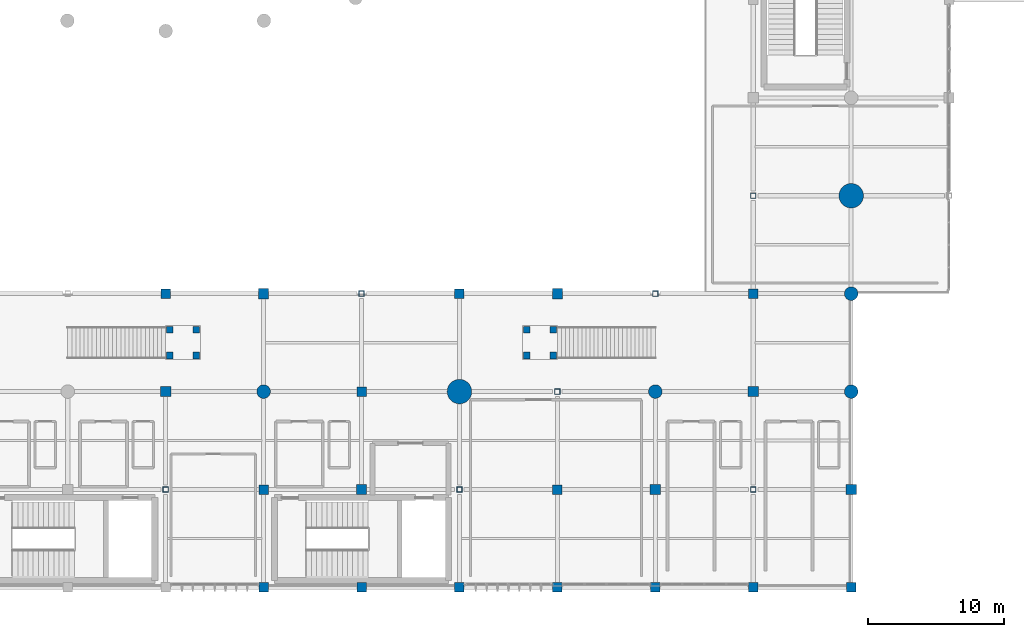
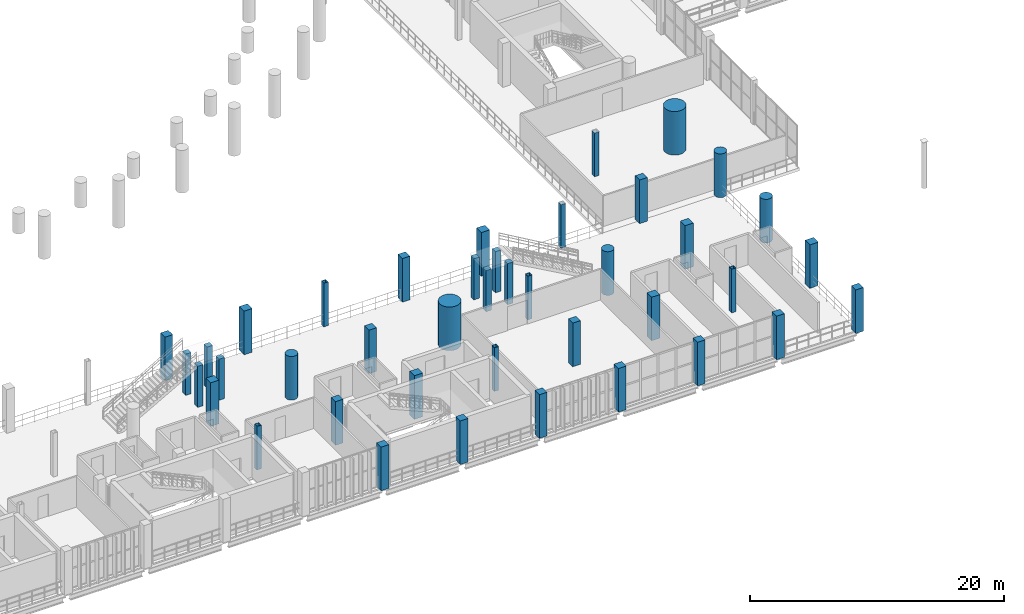
# One storey, part 5 of 130: 41 columns.
"""IFC4 building model written with IfcOpenShell, lengths in metres."""

from ifc_helpers import new_model, si_unit, direction, frame, origin, origin_2d, place, context, subcontext, project, spatial, rectangle, hollow_rectangle, circle, extrude, material, material_profile, profile_set, type_object, element, save


model = new_model("IFC4")

# Units and contexts
model_context = context("Model", 3, precision=1e-05, world=origin(), true_north=direction((0.0, 1.0)))
body_context = subcontext(model_context, "Body", "Model", "MODEL_VIEW")
ifc_project = project(units=[si_unit("LENGTHUNIT", "METRE"), si_unit("AREAUNIT", "SQUARE_METRE"), si_unit("VOLUMEUNIT", "CUBIC_METRE"), si_unit("PLANEANGLEUNIT", "RADIAN"), si_unit("MASSUNIT", "GRAM", prefix="KILO")], contexts=[model_context])

# Site, building, storey
site_placement = place(None, origin())
site = spatial("IfcSite", under=ifc_project, at=site_placement, CompositionType="ELEMENT")
building_placement = place(site_placement, origin())
building = spatial("IfcBuilding", under=site, at=building_placement, Name="Qandorah Velis Arena", CompositionType="ELEMENT")
storey_placement = place(building_placement, frame((0.0, 0.0, 9.60009765625)))
storey = spatial("IfcBuildingStorey", under=building, at=storey_placement, Name="L02", CompositionType="ELEMENT", Elevation=9.60009765625)

# Columns
ifc_material_1 = material(Name="Concrete C50/60", Category="concrete")
ifc_material_profile_1 = material_profile(ifc_material_1, circle(Radius=0.89990234375, at=origin_2d()), Name="MC D1800")
ifc_profile_set_1 = profile_set([ifc_material_profile_1], Name="Concrete C50/60")
column_type_1 = type_object("IfcColumnType", Name="STR-COL-MC1800", PredefinedType="COLUMN", material=ifc_profile_set_1)
for number, where, z_axis, x_axis, name in (
    (1, (86.39990234375, 14.39990234375, 0.0), (0.0, 0.0, 1.0), (1.0, 0.0, 0.0), "Mega column MC5 (L02)"),
    (2, (115.199951171875, 28.800048828125, 0.0), (0.0, 0.0, 1.0), (1.0, 0.0, 0.0), "Mega column MC8 (L02)"),
):
    element("IfcColumn", number, at=place(storey_placement, frame(where, z_axis=z_axis, x_axis=x_axis)), inside=storey, type_object=column_type_1, Name=name, PredefinedType="COLUMN", context=body_context, shape_type="SweptSolid", body=[
        extrude(circle(Radius=0.89990234375, at=origin_2d()), origin(), (0.0, 0.0, 1.0), 4.199951171875),
    ])
ifc_material_2 = material(Name="Concrete C40/50", Category="concrete")
ifc_material_profile_2 = material_profile(ifc_material_2, rectangle(XDim=0.5, YDim=0.5, at=origin_2d()), Name="RC COL 500x500")
ifc_profile_set_2 = profile_set([ifc_material_profile_2], Name="Concrete C40/50")
column_type_2 = type_object("IfcColumnType", Name="STR-COL-RC500", PredefinedType="COLUMN", material=ifc_profile_set_2)
for number, where, z_axis, x_axis, name in (
    (3, (65.10009765625, 17.050048828125, 0.0), (0.0, 0.0, 1.0), (1.0, 0.0, 0.0), "Vomitory VS10 L02 landing column 1"),
    (4, (67.050048828125, 17.050048828125, 0.0), (0.0, 0.0, 1.0), (1.0, 0.0, 0.0), "Vomitory VS10 L02 landing column 2"),
    (5, (65.10009765625, 18.949951171875, 0.0), (0.0, 0.0, 1.0), (1.0, 0.0, 0.0), "Vomitory VS10 L02 landing column 3"),
    (6, (67.050048828125, 18.949951171875, 0.0), (0.0, 0.0, 1.0), (1.0, 0.0, 0.0), "Vomitory VS10 L02 landing column 4"),
    (7, (91.35009765625, 17.050048828125, 0.0), (0.0, 0.0, 1.0), (1.0, 0.0, 0.0), "Vomitory VS11 L02 landing column 1"),
    (8, (93.300048828125, 17.050048828125, 0.0), (0.0, 0.0, 1.0), (1.0, 0.0, 0.0), "Vomitory VS11 L02 landing column 2"),
    (9, (91.35009765625, 18.949951171875, 0.0), (0.0, 0.0, 1.0), (1.0, 0.0, 0.0), "Vomitory VS11 L02 landing column 3"),
    (10, (93.300048828125, 18.949951171875, 0.0), (0.0, 0.0, 1.0), (1.0, 0.0, 0.0), "Vomitory VS11 L02 landing column 4"),
):
    element("IfcColumn", number, at=place(storey_placement, frame(where, z_axis=z_axis, x_axis=x_axis)), inside=storey, type_object=column_type_2, Name=name, PredefinedType="COLUMN", context=body_context, shape_type="SweptSolid", body=[
        extrude(rectangle(XDim=0.5, YDim=0.5, at=origin_2d()), origin(), (0.0, 0.0, 1.0), 3.9599609375),
    ])
ifc_material_profile_3 = material_profile(ifc_material_2, rectangle(XDim=0.699951171875, YDim=0.699951171875, at=origin_2d()), Name="RC COL 700x700")
ifc_profile_set_3 = profile_set([ifc_material_profile_3], Name="Concrete C40/50")
column_type_3 = type_object("IfcColumnType", Name="STR-COL-RC700", PredefinedType="COLUMN", material=ifc_profile_set_3)
for number, where, z_axis, x_axis, name in (
    (11, (64.800048828125, 21.60009765625, 0.0), (0.0, 0.0, 1.0), (1.0, 0.0, 0.0), "Structural column L02-103"),
    (12, (72.0, 0.0, 0.0), (0.0, 0.0, 1.0), (1.0, 0.0, 0.0), "Structural column L02-108"),
    (13, (72.0, 7.199951171875, 0.0), (0.0, 0.0, 1.0), (1.0, 0.0, 0.0), "Structural column L02-109"),
    (14, (79.199951171875, 0.0, 0.0), (0.0, 0.0, 1.0), (1.0, 0.0, 0.0), "Structural column L02-116"),
    (15, (79.199951171875, 14.39990234375, 0.0), (0.0, 0.0, 1.0), (1.0, 0.0, 0.0), "Structural column L02-118"),
    (16, (86.39990234375, 0.0, 0.0), (0.0, 0.0, 1.0), (1.0, 0.0, 0.0), "Structural column L02-124"),
    (17, (86.39990234375, 21.60009765625, 0.0), (0.0, 0.0, 1.0), (1.0, 0.0, 0.0), "Structural column L02-127"),
    (18, (93.60009765625, 0.0, 0.0), (0.0, 0.0, 1.0), (1.0, 0.0, 0.0), "Structural column L02-132"),
    (19, (93.60009765625, 7.199951171875, 0.0), (0.0, 0.0, 1.0), (1.0, 0.0, 0.0), "Structural column L02-133"),
    (20, (100.800048828125, 0.0, 0.0), (0.0, 0.0, 1.0), (1.0, 0.0, 0.0), "Structural column L02-140"),
    (21, (108.0, 0.0, 0.0), (0.0, 0.0, 1.0), (1.0, 0.0, 0.0), "Structural column L02-148"),
    (22, (108.0, 21.60009765625, 0.0), (0.0, 0.0, 1.0), (1.0, 0.0, 0.0), "Structural column L02-151"),
    (23, (115.199951171875, 0.0, 0.0), (0.0, 0.0, 1.0), (1.0, 0.0, 0.0), "Structural column L02-167"),
):
    element("IfcColumn", number, at=place(storey_placement, frame(where, z_axis=z_axis, x_axis=x_axis)), inside=storey, type_object=column_type_3, Name=name, PredefinedType="COLUMN", context=body_context, shape_type="SweptSolid", body=[
        extrude(rectangle(XDim=0.699951171875, YDim=0.699951171875, at=origin_2d()), origin(), (0.0, 0.0, 1.0), 4.199951171875),
    ])
ifc_material_profile_4 = material_profile(ifc_material_2, rectangle(XDim=0.75, YDim=0.75, at=origin_2d()), Name="RC COL 750x750")
ifc_profile_set_4 = profile_set([ifc_material_profile_4], Name="Concrete C40/50")
column_type_4 = type_object("IfcColumnType", Name="STR-COL-RC750", PredefinedType="COLUMN", material=ifc_profile_set_4)
for number, where, z_axis, x_axis, name in (
    (24, (64.800048828125, 14.39990234375, 0.0), (0.0, 0.0, 1.0), (1.0, 0.0, 0.0), "Structural column L02-102"),
    (25, (72.0, 21.60009765625, 0.0), (0.0, 0.0, 1.0), (1.0, 0.0, 0.0), "Structural column L02-111"),
    (26, (79.199951171875, 7.199951171875, 0.0), (0.0, 0.0, 1.0), (1.0, 0.0, 0.0), "Structural column L02-117"),
    (27, (93.60009765625, 21.60009765625, 0.0), (0.0, 0.0, 1.0), (1.0, 0.0, 0.0), "Structural column L02-135"),
    (28, (100.800048828125, 7.199951171875, 0.0), (0.0, 0.0, 1.0), (1.0, 0.0, 0.0), "Structural column L02-141"),
    (29, (108.0, 14.39990234375, 0.0), (0.0, 0.0, 1.0), (1.0, 0.0, 0.0), "Structural column L02-150"),
    (30, (115.199951171875, 7.199951171875, 0.0), (0.0, 0.0, 1.0), (1.0, 0.0, 0.0), "Structural column L02-168"),
):
    element("IfcColumn", number, at=place(storey_placement, frame(where, z_axis=z_axis, x_axis=x_axis)), inside=storey, type_object=column_type_4, Name=name, PredefinedType="COLUMN", context=body_context, shape_type="SweptSolid", body=[
        extrude(rectangle(XDim=0.75, YDim=0.75, at=origin_2d()), origin(), (0.0, 0.0, 1.0), 4.199951171875),
    ])
ifc_material_profile_5 = material_profile(ifc_material_2, circle(Radius=0.5, at=origin_2d()), Name="RC D1000")
ifc_profile_set_5 = profile_set([ifc_material_profile_5], Name="Concrete C40/50")
column_type_5 = type_object("IfcColumnType", Name="STR-COL-RCD1000", PredefinedType="COLUMN", material=ifc_profile_set_5)
for number, where, z_axis, x_axis, name in (
    (31, (72.0, 14.39990234375, 0.0), (0.0, 0.0, 1.0), (1.0, 0.0, 0.0), "Bowl drum ring column L02-110"),
    (32, (100.800048828125, 14.39990234375, 0.0), (0.0, 0.0, 1.0), (1.0, 0.0, 0.0), "Bowl drum ring column L02-142"),
    (33, (115.199951171875, 14.39990234375, 0.0), (0.0, 0.0, 1.0), (1.0, 0.0, 0.0), "Bowl drum ring column L02-169"),
    (34, (115.199951171875, 21.60009765625, 0.0), (0.0, 0.0, 1.0), (1.0, 0.0, 0.0), "Bowl drum ring column L02-170"),
):
    element("IfcColumn", number, at=place(storey_placement, frame(where, z_axis=z_axis, x_axis=x_axis)), inside=storey, type_object=column_type_5, Name=name, PredefinedType="COLUMN", context=body_context, shape_type="SweptSolid", body=[
        extrude(circle(Radius=0.5, at=origin_2d()), origin(), (0.0, 0.0, 1.0), 4.199951171875),
    ])
ifc_material_3 = material(Name="Steel S355", Category="steel")
ifc_material_profile_6 = material_profile(ifc_material_3, hollow_rectangle(XDim=0.39990234375, YDim=0.39990234375, WallThickness=0.02001953125, at=origin_2d()), Name="SHS 400x400x20")
ifc_profile_set_6 = profile_set([ifc_material_profile_6], Name="Steel S355")
column_type_6 = type_object("IfcColumnType", Name="STR-COL-SHS400", PredefinedType="COLUMN", material=ifc_profile_set_6)
for number, where, z_axis, x_axis, name in (
    (35, (64.800048828125, 7.199951171875, 0.0), (0.0, 0.0, 1.0), (1.0, 0.0, 0.0), "Structural column L02-101"),
    (36, (79.199951171875, 21.60009765625, 0.0), (0.0, 0.0, 1.0), (1.0, 0.0, 0.0), "Structural column L02-119"),
    (37, (86.39990234375, 7.199951171875, 0.0), (0.0, 0.0, 1.0), (1.0, 0.0, 0.0), "Structural column L02-125"),
    (38, (93.60009765625, 14.39990234375, 0.0), (0.0, 0.0, 1.0), (1.0, 0.0, 0.0), "Structural column L02-134"),
    (39, (100.800048828125, 21.60009765625, 0.0), (0.0, 0.0, 1.0), (1.0, 0.0, 0.0), "Structural column L02-143"),
    (40, (108.0, 7.199951171875, 0.0), (0.0, 0.0, 1.0), (1.0, 0.0, 0.0), "Structural column L02-149"),
    (41, (108.0, 28.800048828125, 0.0), (0.0, 0.0, 1.0), (1.0, 0.0, 0.0), "Structural column L02-152"),
):
    element("IfcColumn", number, at=place(storey_placement, frame(where, z_axis=z_axis, x_axis=x_axis)), inside=storey, type_object=column_type_6, Name=name, PredefinedType="COLUMN", context=body_context, shape_type="SweptSolid", body=[
        extrude(hollow_rectangle(XDim=0.39990234375, YDim=0.39990234375, WallThickness=0.02001953125, at=origin_2d()), origin(), (0.0, 0.0, 1.0), 4.199951171875),
    ])

save(model, "model.ifc")
